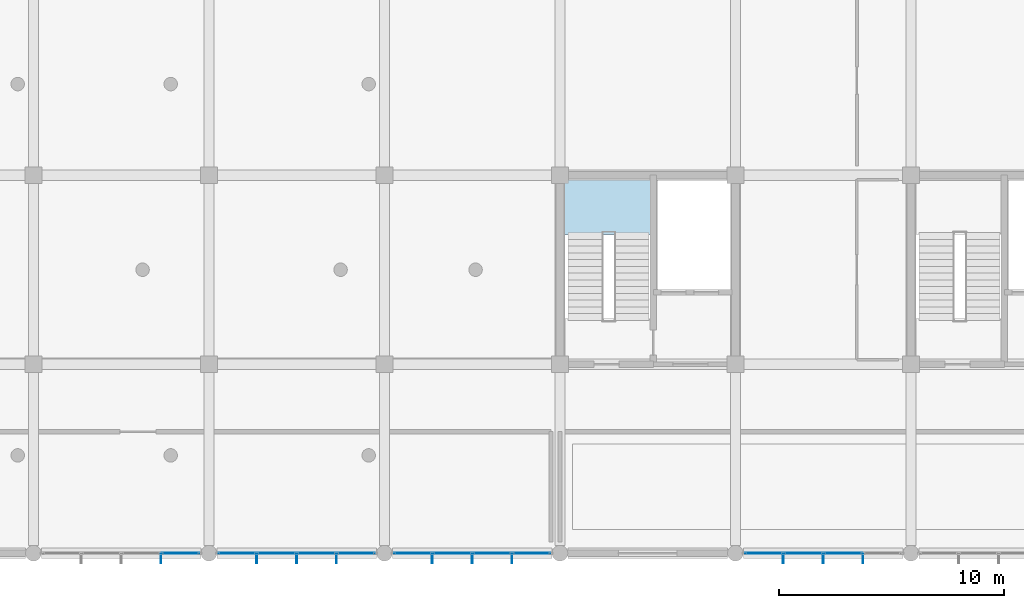
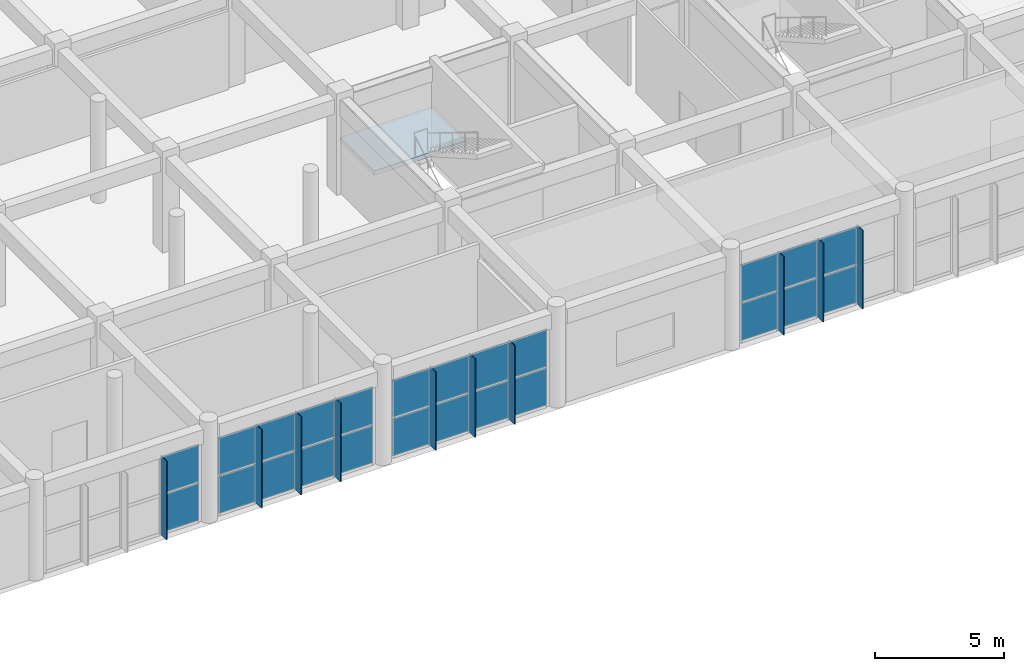
# One storey, part 128 of 167: 34 plates, 1 slab, 5 elements without a shape of their own.
"""IFC4 building model written with IfcOpenShell, lengths in metres."""

from ifc_helpers import new_model, si_unit, direction, frame, origin, origin_2d, place, context, subcontext, project, spatial, polyline, rectangle, outline, extrude, material, layer, layer_set, type_object, element, aggregate, save


model = new_model("IFC4")

# Units and contexts
model_context = context("Model", 3, precision=1e-05, world=origin(), true_north=direction((0.0, 1.0)))
body_context = subcontext(model_context, "Body", "Model", "MODEL_VIEW")
ifc_project = project(units=[si_unit("LENGTHUNIT", "METRE"), si_unit("AREAUNIT", "SQUARE_METRE"), si_unit("VOLUMEUNIT", "CUBIC_METRE"), si_unit("PLANEANGLEUNIT", "RADIAN"), si_unit("MASSUNIT", "GRAM", prefix="KILO")], contexts=[model_context])

# Site, building, storey
site_placement = place(None, origin())
site = spatial("IfcSite", under=ifc_project, at=site_placement, CompositionType="ELEMENT")
building_placement = place(site_placement, origin())
building = spatial("IfcBuilding", under=site, at=building_placement, Name="Zizhar Promenade General Hospital", CompositionType="ELEMENT")
storey_placement = place(building_placement, frame((0.0, 0.0, 9.60009765625)))
storey = spatial("IfcBuildingStorey", under=building, at=storey_placement, Name="L02", CompositionType="ELEMENT", Elevation=9.60009765625)

# Curtain wall, plates
ifc_material_1 = material(Name="Anodised aluminium 6063-T6 and low-E glass", Category="aluminium")
ifc_layer_1 = layer(ifc_material_1, 0.159912109375)
ifc_layer_set_1 = layer_set([ifc_layer_1], Name="Anodised aluminium 6063-T6 and low-E glass")
curtain_wall_type = type_object("IfcCurtainWallType", Name="CW-DT-MOD1", PredefinedType="NOTDEFINED", material=ifc_layer_set_1)
curtain_wall_1_placement = place(storey_placement, origin())
curtain_wall_1 = element("IfcCurtainWall", 1, at=curtain_wall_1_placement, inside=storey, type_object=curtain_wall_type, Name="Riverfront Clinical Curtain Wall L02-2", PredefinedType="NOTDEFINED")
ifc_material_2 = material(Name="Low-E solar-control glass", Category="glass")
ifc_layer_2 = layer(ifc_material_2, 0.031982421875)
ifc_layer_set_2 = layer_set([ifc_layer_2], Name="Low-E solar-control glass")
plate_type_1 = type_object("IfcPlateType", Name="CWP-GLZ-32", PredefinedType="CURTAIN_PANEL", material=ifc_layer_set_2)
plate_1_placement = place(storey_placement, frame((29.93505859375, 0.0, 0.06005859375), z_axis=(0.0, 0.0, 1.0), x_axis=(-1.0, 0.0, 0.0)))
plate_1 = element("IfcPlate", 2, at=plate_1_placement, type_object=plate_type_1, Name="CW-07 panel 1.1", PredefinedType="CURTAIN_PANEL", context=body_context, shape_type="SweptSolid", body=[
    extrude(rectangle(XDim=1.64990234375, YDim=0.031982421875, at=origin_2d()), origin(), (0.0, 0.0, 1.0), 1.77490234375),
])
plate_2_placement = place(storey_placement, frame((29.93505859375, 0.0, 1.89501953125), z_axis=(0.0, 0.0, 1.0), x_axis=(-1.0, 0.0, 0.0)))
plate_2 = element("IfcPlate", 3, at=plate_2_placement, type_object=plate_type_1, Name="CW-07 panel 1.2", PredefinedType="CURTAIN_PANEL", context=body_context, shape_type="SweptSolid", body=[
    extrude(rectangle(XDim=1.64990234375, YDim=0.031982421875, at=origin_2d()), origin(), (0.0, 0.0, 1.0), 1.77490234375),
])
aggregate(curtain_wall_1, [plate_1, plate_2])

curtain_wall_2_placement = place(storey_placement, origin())
curtain_wall_2 = element("IfcCurtainWall", 4, at=curtain_wall_2_placement, inside=storey, type_object=curtain_wall_type, Name="Riverfront Clinical Curtain Wall L02-3", PredefinedType="NOTDEFINED")
plate_3_placement = place(storey_placement, frame((37.735107421875, 0.0, 0.06005859375), z_axis=(0.0, 0.0, 1.0), x_axis=(-1.0, 0.0, 0.0)))
plate_3 = element("IfcPlate", 5, at=plate_3_placement, type_object=plate_type_1, Name="CW-07 panel 1.1", PredefinedType="CURTAIN_PANEL", context=body_context, shape_type="SweptSolid", body=[
    extrude(rectangle(XDim=1.64990234375, YDim=0.031982421875, at=origin_2d()), origin(), (0.0, 0.0, 1.0), 1.77490234375),
])
plate_4_placement = place(storey_placement, frame((37.735107421875, 0.0, 1.89501953125), z_axis=(0.0, 0.0, 1.0), x_axis=(-1.0, 0.0, 0.0)))
plate_4 = element("IfcPlate", 6, at=plate_4_placement, type_object=plate_type_1, Name="CW-07 panel 1.2", PredefinedType="CURTAIN_PANEL", context=body_context, shape_type="SweptSolid", body=[
    extrude(rectangle(XDim=1.64990234375, YDim=0.031982421875, at=origin_2d()), origin(), (0.0, 0.0, 1.0), 1.77490234375),
])
plate_5_placement = place(storey_placement, frame((35.985107421875, 0.0, 0.06005859375), z_axis=(0.0, 0.0, 1.0), x_axis=(-1.0, 0.0, 0.0)))
plate_5 = element("IfcPlate", 7, at=plate_5_placement, type_object=plate_type_1, Name="CW-07 panel 2.1", PredefinedType="CURTAIN_PANEL", context=body_context, shape_type="SweptSolid", body=[
    extrude(rectangle(XDim=1.68994140625, YDim=0.031982421875, at=origin_2d()), origin(), (0.0, 0.0, 1.0), 1.77490234375),
])
plate_6_placement = place(storey_placement, frame((35.985107421875, 0.0, 1.89501953125), z_axis=(0.0, 0.0, 1.0), x_axis=(-1.0, 0.0, 0.0)))
plate_6 = element("IfcPlate", 8, at=plate_6_placement, type_object=plate_type_1, Name="CW-07 panel 2.2", PredefinedType="CURTAIN_PANEL", context=body_context, shape_type="SweptSolid", body=[
    extrude(rectangle(XDim=1.68994140625, YDim=0.031982421875, at=origin_2d()), origin(), (0.0, 0.0, 1.0), 1.77490234375),
])
plate_7_placement = place(storey_placement, frame((34.215087890625, 0.0, 0.06005859375), z_axis=(0.0, 0.0, 1.0), x_axis=(-1.0, 0.0, 0.0)))
plate_7 = element("IfcPlate", 9, at=plate_7_placement, type_object=plate_type_1, Name="CW-07 panel 3.1", PredefinedType="CURTAIN_PANEL", context=body_context, shape_type="SweptSolid", body=[
    extrude(rectangle(XDim=1.68994140625, YDim=0.031982421875, at=origin_2d()), origin(), (0.0, 0.0, 1.0), 1.77490234375),
])
plate_8_placement = place(storey_placement, frame((34.215087890625, 0.0, 1.89501953125), z_axis=(0.0, 0.0, 1.0), x_axis=(-1.0, 0.0, 0.0)))
plate_8 = element("IfcPlate", 10, at=plate_8_placement, type_object=plate_type_1, Name="CW-07 panel 3.2", PredefinedType="CURTAIN_PANEL", context=body_context, shape_type="SweptSolid", body=[
    extrude(rectangle(XDim=1.68994140625, YDim=0.031982421875, at=origin_2d()), origin(), (0.0, 0.0, 1.0), 1.77490234375),
])
plate_9_placement = place(storey_placement, frame((32.465087890625, 0.0, 0.06005859375), z_axis=(0.0, 0.0, 1.0), x_axis=(-1.0, 0.0, 0.0)))
plate_9 = element("IfcPlate", 11, at=plate_9_placement, type_object=plate_type_1, Name="CW-07 panel 4.1", PredefinedType="CURTAIN_PANEL", context=body_context, shape_type="SweptSolid", body=[
    extrude(rectangle(XDim=1.64990234375, YDim=0.031982421875, at=origin_2d()), origin(), (0.0, 0.0, 1.0), 1.77490234375),
])
plate_10_placement = place(storey_placement, frame((32.465087890625, 0.0, 1.89501953125), z_axis=(0.0, 0.0, 1.0), x_axis=(-1.0, 0.0, 0.0)))
plate_10 = element("IfcPlate", 12, at=plate_10_placement, type_object=plate_type_1, Name="CW-07 panel 4.2", PredefinedType="CURTAIN_PANEL", context=body_context, shape_type="SweptSolid", body=[
    extrude(rectangle(XDim=1.64990234375, YDim=0.031982421875, at=origin_2d()), origin(), (0.0, 0.0, 1.0), 1.77490234375),
])
aggregate(curtain_wall_2, [plate_3, plate_4, plate_5, plate_6, plate_7, plate_8, plate_9, plate_10])

curtain_wall_3_placement = place(storey_placement, origin())
curtain_wall_3 = element("IfcCurtainWall", 13, at=curtain_wall_3_placement, inside=storey, type_object=curtain_wall_type, Name="Riverfront Clinical Curtain Wall L02-4", PredefinedType="NOTDEFINED")
plate_11_placement = place(storey_placement, frame((45.534912109375, 0.0, 0.06005859375), z_axis=(0.0, 0.0, 1.0), x_axis=(-1.0, 0.0, 0.0)))
plate_11 = element("IfcPlate", 14, at=plate_11_placement, type_object=plate_type_1, Name="CW-07 panel 1.1", PredefinedType="CURTAIN_PANEL", context=body_context, shape_type="SweptSolid", body=[
    extrude(rectangle(XDim=1.64990234375, YDim=0.031982421875, at=origin_2d()), origin(), (0.0, 0.0, 1.0), 1.77490234375),
])
plate_12_placement = place(storey_placement, frame((45.534912109375, 0.0, 1.89501953125), z_axis=(0.0, 0.0, 1.0), x_axis=(-1.0, 0.0, 0.0)))
plate_12 = element("IfcPlate", 15, at=plate_12_placement, type_object=plate_type_1, Name="CW-07 panel 1.2", PredefinedType="CURTAIN_PANEL", context=body_context, shape_type="SweptSolid", body=[
    extrude(rectangle(XDim=1.64990234375, YDim=0.031982421875, at=origin_2d()), origin(), (0.0, 0.0, 1.0), 1.77490234375),
])
plate_13_placement = place(storey_placement, frame((43.784912109375, 0.0, 0.06005859375), z_axis=(0.0, 0.0, 1.0), x_axis=(-1.0, 0.0, 0.0)))
plate_13 = element("IfcPlate", 16, at=plate_13_placement, type_object=plate_type_1, Name="CW-07 panel 2.1", PredefinedType="CURTAIN_PANEL", context=body_context, shape_type="SweptSolid", body=[
    extrude(rectangle(XDim=1.68994140625, YDim=0.031982421875, at=origin_2d()), origin(), (0.0, 0.0, 1.0), 1.77490234375),
])
plate_14_placement = place(storey_placement, frame((43.784912109375, 0.0, 1.89501953125), z_axis=(0.0, 0.0, 1.0), x_axis=(-1.0, 0.0, 0.0)))
plate_14 = element("IfcPlate", 17, at=plate_14_placement, type_object=plate_type_1, Name="CW-07 panel 2.2", PredefinedType="CURTAIN_PANEL", context=body_context, shape_type="SweptSolid", body=[
    extrude(rectangle(XDim=1.68994140625, YDim=0.031982421875, at=origin_2d()), origin(), (0.0, 0.0, 1.0), 1.77490234375),
])
plate_15_placement = place(storey_placement, frame((42.014892578125, 0.0, 0.06005859375), z_axis=(0.0, 0.0, 1.0), x_axis=(-1.0, 0.0, 0.0)))
plate_15 = element("IfcPlate", 18, at=plate_15_placement, type_object=plate_type_1, Name="CW-07 panel 3.1", PredefinedType="CURTAIN_PANEL", context=body_context, shape_type="SweptSolid", body=[
    extrude(rectangle(XDim=1.68994140625, YDim=0.031982421875, at=origin_2d()), origin(), (0.0, 0.0, 1.0), 1.77490234375),
])
plate_16_placement = place(storey_placement, frame((42.014892578125, 0.0, 1.89501953125), z_axis=(0.0, 0.0, 1.0), x_axis=(-1.0, 0.0, 0.0)))
plate_16 = element("IfcPlate", 19, at=plate_16_placement, type_object=plate_type_1, Name="CW-07 panel 3.2", PredefinedType="CURTAIN_PANEL", context=body_context, shape_type="SweptSolid", body=[
    extrude(rectangle(XDim=1.68994140625, YDim=0.031982421875, at=origin_2d()), origin(), (0.0, 0.0, 1.0), 1.77490234375),
])
plate_17_placement = place(storey_placement, frame((40.264892578125, 0.0, 0.06005859375), z_axis=(0.0, 0.0, 1.0), x_axis=(-1.0, 0.0, 0.0)))
plate_17 = element("IfcPlate", 20, at=plate_17_placement, type_object=plate_type_1, Name="CW-07 panel 4.1", PredefinedType="CURTAIN_PANEL", context=body_context, shape_type="SweptSolid", body=[
    extrude(rectangle(XDim=1.64990234375, YDim=0.031982421875, at=origin_2d()), origin(), (0.0, 0.0, 1.0), 1.77490234375),
])
plate_18_placement = place(storey_placement, frame((40.264892578125, 0.0, 1.89501953125), z_axis=(0.0, 0.0, 1.0), x_axis=(-1.0, 0.0, 0.0)))
plate_18 = element("IfcPlate", 21, at=plate_18_placement, type_object=plate_type_1, Name="CW-07 panel 4.2", PredefinedType="CURTAIN_PANEL", context=body_context, shape_type="SweptSolid", body=[
    extrude(rectangle(XDim=1.64990234375, YDim=0.031982421875, at=origin_2d()), origin(), (0.0, 0.0, 1.0), 1.77490234375),
])
aggregate(curtain_wall_3, [plate_11, plate_12, plate_13, plate_14, plate_15, plate_16, plate_17, plate_18])

curtain_wall_4_placement = place(storey_placement, origin())
curtain_wall_4 = element("IfcCurtainWall", 22, at=curtain_wall_4_placement, inside=storey, type_object=curtain_wall_type, Name="Riverfront Clinical Curtain Wall L02-6", PredefinedType="NOTDEFINED")
plate_19_placement = place(storey_placement, frame((59.385009765625, 0.0, 0.06005859375), z_axis=(0.0, 0.0, 1.0), x_axis=(-1.0, 0.0, 0.0)))
plate_19 = element("IfcPlate", 23, at=plate_19_placement, type_object=plate_type_1, Name="CW-07 panel 2.1", PredefinedType="CURTAIN_PANEL", context=body_context, shape_type="SweptSolid", body=[
    extrude(rectangle(XDim=1.68994140625, YDim=0.031982421875, at=origin_2d()), origin(), (0.0, 0.0, 1.0), 1.77490234375),
])
plate_20_placement = place(storey_placement, frame((59.385009765625, 0.0, 1.89501953125), z_axis=(0.0, 0.0, 1.0), x_axis=(-1.0, 0.0, 0.0)))
plate_20 = element("IfcPlate", 24, at=plate_20_placement, type_object=plate_type_1, Name="CW-07 panel 2.2", PredefinedType="CURTAIN_PANEL", context=body_context, shape_type="SweptSolid", body=[
    extrude(rectangle(XDim=1.68994140625, YDim=0.031982421875, at=origin_2d()), origin(), (0.0, 0.0, 1.0), 1.77490234375),
])
plate_21_placement = place(storey_placement, frame((57.614990234375, 0.0, 0.06005859375), z_axis=(0.0, 0.0, 1.0), x_axis=(-1.0, 0.0, 0.0)))
plate_21 = element("IfcPlate", 25, at=plate_21_placement, type_object=plate_type_1, Name="CW-07 panel 3.1", PredefinedType="CURTAIN_PANEL", context=body_context, shape_type="SweptSolid", body=[
    extrude(rectangle(XDim=1.68994140625, YDim=0.031982421875, at=origin_2d()), origin(), (0.0, 0.0, 1.0), 1.77490234375),
])
plate_22_placement = place(storey_placement, frame((57.614990234375, 0.0, 1.89501953125), z_axis=(0.0, 0.0, 1.0), x_axis=(-1.0, 0.0, 0.0)))
plate_22 = element("IfcPlate", 26, at=plate_22_placement, type_object=plate_type_1, Name="CW-07 panel 3.2", PredefinedType="CURTAIN_PANEL", context=body_context, shape_type="SweptSolid", body=[
    extrude(rectangle(XDim=1.68994140625, YDim=0.031982421875, at=origin_2d()), origin(), (0.0, 0.0, 1.0), 1.77490234375),
])
plate_23_placement = place(storey_placement, frame((55.864990234375, 0.0, 0.06005859375), z_axis=(0.0, 0.0, 1.0), x_axis=(-1.0, 0.0, 0.0)))
plate_23 = element("IfcPlate", 27, at=plate_23_placement, type_object=plate_type_1, Name="CW-07 panel 4.1", PredefinedType="CURTAIN_PANEL", context=body_context, shape_type="SweptSolid", body=[
    extrude(rectangle(XDim=1.64990234375, YDim=0.031982421875, at=origin_2d()), origin(), (0.0, 0.0, 1.0), 1.77490234375),
])
plate_24_placement = place(storey_placement, frame((55.864990234375, 0.0, 1.89501953125), z_axis=(0.0, 0.0, 1.0), x_axis=(-1.0, 0.0, 0.0)))
plate_24 = element("IfcPlate", 28, at=plate_24_placement, type_object=plate_type_1, Name="CW-07 panel 4.2", PredefinedType="CURTAIN_PANEL", context=body_context, shape_type="SweptSolid", body=[
    extrude(rectangle(XDim=1.64990234375, YDim=0.031982421875, at=origin_2d()), origin(), (0.0, 0.0, 1.0), 1.77490234375),
])
aggregate(curtain_wall_4, [plate_19, plate_20, plate_21, plate_22, plate_23, plate_24])

# Plates
ifc_material_3 = material(Name="Anodised aluminium 6063-T6", Category="aluminium")
ifc_layer_3 = layer(ifc_material_3, 0.0400390625)
ifc_layer_set_3 = layer_set([ifc_layer_3], Name="Anodised aluminium 6063-T6")
plate_type_2 = type_object("IfcPlateType", Name="FIN-ALU-450", PredefinedType="USERDEFINED", material=ifc_layer_set_3)
plate_25_placement = place(storey_placement, origin())
element("IfcPlate", 29, at=plate_25_placement, inside=storey, type_object=plate_type_2, Name="Riverfront Clinical Curtain Wall L02-2 Solar Fin 1", ObjectType="SOLAR_SHADE", PredefinedType="USERDEFINED", context=body_context, shape_type="SweptSolid", body=[
    extrude(outline(polyline([(29.090087890625, 0.0), (29.050048828125, 0.0), (29.050048828125, -0.449951171875), (29.090087890625, -0.449951171875), (29.090087890625, 0.0)])), origin(), (0.0, 0.0, 1.0), 3.72998046875),
])
plate_26_placement = place(storey_placement, origin())
element("IfcPlate", 30, at=plate_26_placement, inside=storey, type_object=plate_type_2, Name="Riverfront Clinical Curtain Wall L02-3 Solar Fin 1", ObjectType="SOLAR_SHADE", PredefinedType="USERDEFINED", context=body_context, shape_type="SweptSolid", body=[
    extrude(outline(polyline([(36.889892578125, 0.0), (36.85009765625, 0.0), (36.85009765625, -0.449951171875), (36.889892578125, -0.449951171875), (36.889892578125, 0.0)])), origin(), (0.0, 0.0, 1.0), 3.72998046875),
])
plate_27_placement = place(storey_placement, origin())
element("IfcPlate", 31, at=plate_27_placement, inside=storey, type_object=plate_type_2, Name="Riverfront Clinical Curtain Wall L02-3 Solar Fin 2", ObjectType="SOLAR_SHADE", PredefinedType="USERDEFINED", context=body_context, shape_type="SweptSolid", body=[
    extrude(outline(polyline([(35.1201171875, 0.0), (35.080078125, 0.0), (35.080078125, -0.449951171875), (35.1201171875, -0.449951171875), (35.1201171875, 0.0)])), origin(), (0.0, 0.0, 1.0), 3.72998046875),
])
plate_28_placement = place(storey_placement, origin())
element("IfcPlate", 32, at=plate_28_placement, inside=storey, type_object=plate_type_2, Name="Riverfront Clinical Curtain Wall L02-3 Solar Fin 3", ObjectType="SOLAR_SHADE", PredefinedType="USERDEFINED", context=body_context, shape_type="SweptSolid", body=[
    extrude(outline(polyline([(33.35009765625, 0.0), (33.31005859375, 0.0), (33.31005859375, -0.449951171875), (33.35009765625, -0.449951171875), (33.35009765625, 0.0)])), origin(), (0.0, 0.0, 1.0), 3.72998046875),
])
plate_29_placement = place(storey_placement, origin())
element("IfcPlate", 33, at=plate_29_placement, inside=storey, type_object=plate_type_2, Name="Riverfront Clinical Curtain Wall L02-4 Solar Fin 1", ObjectType="SOLAR_SHADE", PredefinedType="USERDEFINED", context=body_context, shape_type="SweptSolid", body=[
    extrude(outline(polyline([(44.68994140625, 0.0), (44.64990234375, 0.0), (44.64990234375, -0.449951171875), (44.68994140625, -0.449951171875), (44.68994140625, 0.0)])), origin(), (0.0, 0.0, 1.0), 3.72998046875),
])
plate_30_placement = place(storey_placement, origin())
element("IfcPlate", 34, at=plate_30_placement, inside=storey, type_object=plate_type_2, Name="Riverfront Clinical Curtain Wall L02-4 Solar Fin 2", ObjectType="SOLAR_SHADE", PredefinedType="USERDEFINED", context=body_context, shape_type="SweptSolid", body=[
    extrude(outline(polyline([(42.919921875, 0.0), (42.8798828125, 0.0), (42.8798828125, -0.449951171875), (42.919921875, -0.449951171875), (42.919921875, 0.0)])), origin(), (0.0, 0.0, 1.0), 3.72998046875),
])
plate_31_placement = place(storey_placement, origin())
element("IfcPlate", 35, at=plate_31_placement, inside=storey, type_object=plate_type_2, Name="Riverfront Clinical Curtain Wall L02-4 Solar Fin 3", ObjectType="SOLAR_SHADE", PredefinedType="USERDEFINED", context=body_context, shape_type="SweptSolid", body=[
    extrude(outline(polyline([(41.14990234375, 0.0), (41.110107421875, 0.0), (41.110107421875, -0.449951171875), (41.14990234375, -0.449951171875), (41.14990234375, 0.0)])), origin(), (0.0, 0.0, 1.0), 3.72998046875),
])
plate_32_placement = place(storey_placement, origin())
element("IfcPlate", 36, at=plate_32_placement, inside=storey, type_object=plate_type_2, Name="Riverfront Clinical Curtain Wall L02-6 Solar Fin 1", ObjectType="SOLAR_SHADE", PredefinedType="USERDEFINED", context=body_context, shape_type="SweptSolid", body=[
    extrude(outline(polyline([(60.2900390625, 0.0), (60.25, 0.0), (60.25, -0.449951171875), (60.2900390625, -0.449951171875), (60.2900390625, 0.0)])), origin(), (0.0, 0.0, 1.0), 3.72998046875),
])
plate_33_placement = place(storey_placement, origin())
element("IfcPlate", 37, at=plate_33_placement, inside=storey, type_object=plate_type_2, Name="Riverfront Clinical Curtain Wall L02-6 Solar Fin 2", ObjectType="SOLAR_SHADE", PredefinedType="USERDEFINED", context=body_context, shape_type="SweptSolid", body=[
    extrude(outline(polyline([(58.52001953125, 0.0), (58.47998046875, 0.0), (58.47998046875, -0.449951171875), (58.52001953125, -0.449951171875), (58.52001953125, 0.0)])), origin(), (0.0, 0.0, 1.0), 3.72998046875),
])
plate_34_placement = place(storey_placement, origin())
element("IfcPlate", 38, at=plate_34_placement, inside=storey, type_object=plate_type_2, Name="Riverfront Clinical Curtain Wall L02-6 Solar Fin 3", ObjectType="SOLAR_SHADE", PredefinedType="USERDEFINED", context=body_context, shape_type="SweptSolid", body=[
    extrude(outline(polyline([(56.75, 0.0), (56.7099609375, 0.0), (56.7099609375, -0.449951171875), (56.75, -0.449951171875), (56.75, 0.0)])), origin(), (0.0, 0.0, 1.0), 3.72998046875),
])

# Stair, slab
ifc_material_4 = material(Name="Concrete C35/45", Category="concrete")
stair_type = type_object("IfcStairType", Name="STR-DOG-480", PredefinedType="HALF_TURN_STAIR", material=ifc_material_4)
stair_placement = place(storey_placement, origin())
stair = element("IfcStair", 39, at=stair_placement, inside=storey, type_object=stair_type, Name="Exit Stair ST-02 (L02 to L03)", PredefinedType="HALF_TURN_STAIR")
ifc_material_5 = material(Name="Concrete C35/45", Category="concrete")
ifc_layer_4 = layer(ifc_material_5, 0.219970703125)
ifc_layer_set_4 = layer_set([ifc_layer_4], Name="Concrete C35/45")
slab_type = type_object("IfcSlabType", Name="SLB-LAND-480", PredefinedType="LANDING", material=ifc_layer_set_4)
slab_placement = place(storey_placement, frame((0.0, 0.0, 2.179931640625)))
slab = element("IfcSlab", 40, at=slab_placement, type_object=slab_type, Name="ST-02A landing 1", PredefinedType="LANDING", context=body_context, shape_type="SweptSolid", body=[
    extrude(outline(polyline([(46.800048828125, 14.169921875), (50.949951171875, 14.169921875), (50.949951171875, 16.800048828125), (46.800048828125, 16.800048828125), (46.800048828125, 14.169921875)])), origin(), (0.0, 0.0, 1.0), 0.219970703125),
])
aggregate(stair, [slab])

save(model, "model.ifc")
